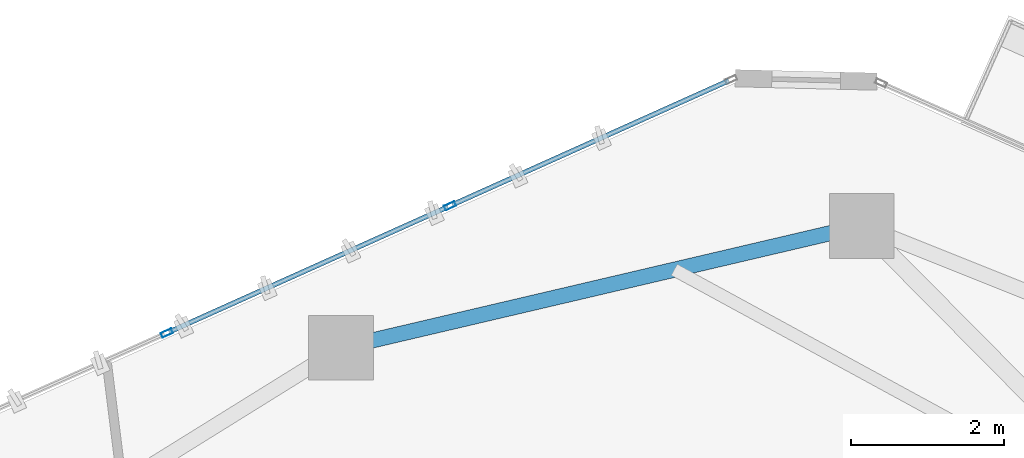
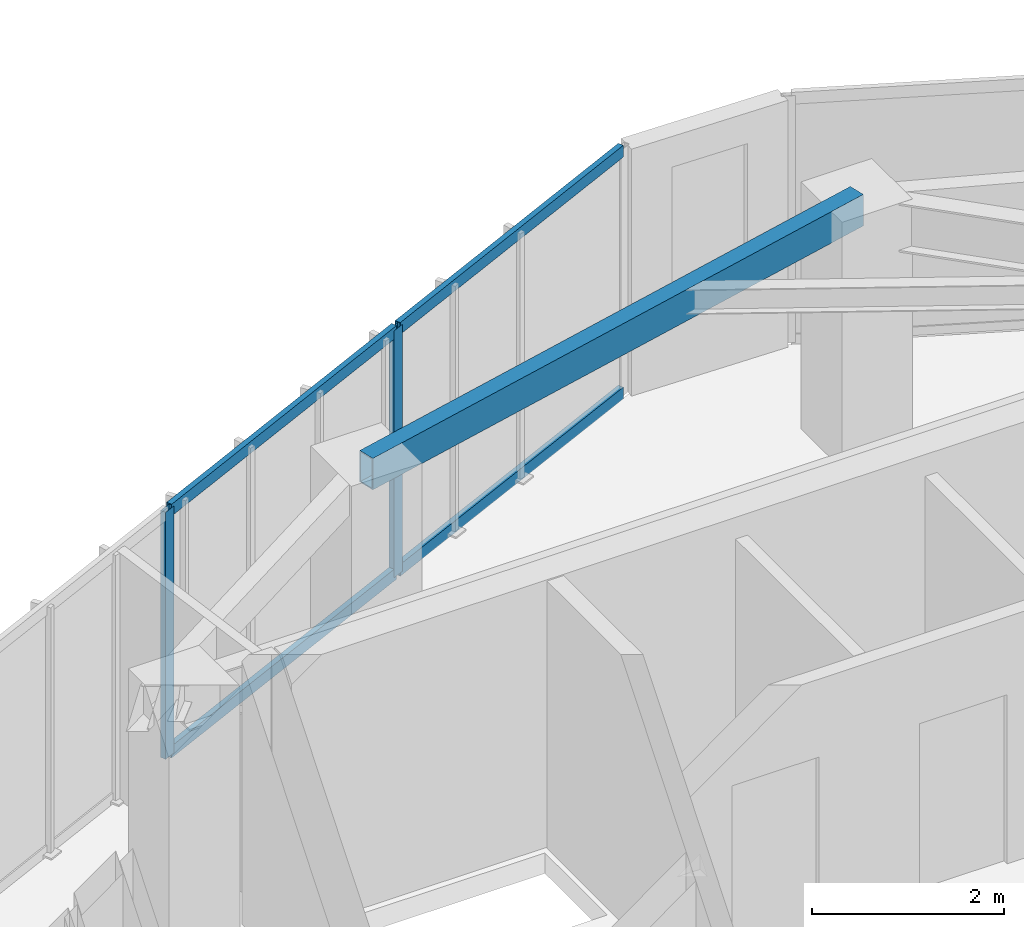
# One storey, part 10 of 21: 6 members, 1 beam, 1 element without a shape of its own.
"""IFC4 building model written with IfcOpenShell, lengths in metres."""

from ifc_helpers import new_model, si_unit, direction, frame, origin, origin_2d, place, context, subcontext, project, spatial, hollow_rectangle, extrude, source, transform, mapped, material, layer, layer_set, material_profile, profile_set, type_object, type_shapes, element, aggregate, save


model = new_model("IFC4")

# Units and contexts
model_context = context("Model", 3, precision=1e-05, world=origin(), true_north=direction((0.0, 1.0)))
body_context = subcontext(model_context, "Body", "Model", "MODEL_VIEW")
ifc_project = project(units=[si_unit("LENGTHUNIT", "METRE"), si_unit("AREAUNIT", "SQUARE_METRE"), si_unit("VOLUMEUNIT", "CUBIC_METRE"), si_unit("PLANEANGLEUNIT", "RADIAN"), si_unit("MASSUNIT", "GRAM", prefix="KILO")], contexts=[model_context])

# Site, building, storey
site_placement = place(None, origin())
site = spatial("IfcSite", under=ifc_project, at=site_placement, CompositionType="ELEMENT")
building_placement = place(site_placement, origin())
building = spatial("IfcBuilding", under=site, at=building_placement, Name="Talar Marvaseh", CompositionType="ELEMENT")
storey_placement = place(building_placement, frame((0.0, 0.0, 271.39990234375)))
storey = spatial("IfcBuildingStorey", under=building, at=storey_placement, Name="L72", CompositionType="ELEMENT", Elevation=271.39990234375)

# Beam
ifc_material_1 = material(Name="Steel S355", Category="steel")
ifc_material_profile_1 = material_profile(ifc_material_1, hollow_rectangle(XDim=0.199951171875, YDim=0.39990234375, WallThickness=0.013916015625, at=origin_2d()), Name="RHS400x200x14")
ifc_profile_set_1 = profile_set([ifc_material_profile_1], Name="Steel S355")
beam_type = type_object("IfcBeamType", Name="Zone 3 Perimeter Spandrel Beam RHS400x200x14", PredefinedType="SPANDREL", material=ifc_profile_set_1)
beam_placement = place(storey_placement, frame((22.364990234375, 39.4541015625, 2.940185546875), z_axis=(0.973655602276, 0.228023613157, 0.0), x_axis=(-0.228023613157, 0.973655602276, 0.0)))
element("IfcBeam", 1, at=beam_placement, inside=storey, type_object=beam_type, Name="L72 Zone 3 Perimeter Spandrel Beam RHS400x200x14", PredefinedType="SPANDREL", context=body_context, shape_type="SweptSolid", body=[
    extrude(hollow_rectangle(XDim=0.199951171875, YDim=0.39990234375, WallThickness=0.013916015625, at=origin_2d()), origin(), (0.0, 0.0, 1.0), 7.007568359375),
])

# Curtain wall, members
ifc_material_2 = material(Name="Architectural Aluminium", Category="aluminium")
ifc_layer = layer(ifc_material_2, 0.179931640625)
ifc_layer_set = layer_set([ifc_layer], Name="Architectural Aluminium")
curtain_wall_type = type_object("IfcCurtainWallType", Name="Unitised High-Wind Sky Curtain Wall Z4", PredefinedType="NOTDEFINED", material=ifc_layer_set)
curtain_wall_placement = place(storey_placement, origin())
curtain_wall = element("IfcCurtainWall", 2, at=curtain_wall_placement, inside=storey, type_object=curtain_wall_type, Name="L72 Unitised High-Wind Sky Curtain Wall Z4", PredefinedType="NOTDEFINED")
ifc_material_profile_2 = material_profile(ifc_material_2, hollow_rectangle(XDim=0.06494140625, YDim=0.14990234375, WallThickness=0.00390625, at=origin_2d()), Name="RHS150x65x4")
ifc_profile_set_2 = profile_set([ifc_material_profile_2], Name="Architectural Aluminium")
member_type_1 = type_object("IfcMemberType", Name="Unitised Curtain Wall Slim Transom RHS150x65x4", PredefinedType="USERDEFINED", material=ifc_profile_set_2)
shared_shape_1 = source(origin(), body_context, "Body", "SweptSolid", [
    extrude(hollow_rectangle(XDim=0.06494140625, YDim=0.14990234375, WallThickness=0.00390625, at=origin_2d()), origin(), (0.0, 0.0, 1.0), 3.97119140625),
])
member_1_placement = place(storey_placement, frame((23.82470703125, 41.3271484375, 0.03271484375), z_axis=(0.91225593784, 0.409620682919, 0.0), x_axis=(-0.409620682919, 0.91225593784, 0.0)))
member_1 = element("IfcMember", 3, at=member_1_placement, type_object=member_type_1, Name="CW-Z4 transom 3.1", ObjectType="TRANSOM", PredefinedType="USERDEFINED", context=body_context, shape_type="MappedRepresentation", body=[
    mapped(shared_shape_1, transform((0.0, 0.0, 0.0), x_axis=(1.0, 0.0, 0.0), y_axis=(0.0, 1.0, 0.0), z_axis=(0.0, 0.0, 1.0), scale=1.0)),
])
member_2_placement = place(storey_placement, frame((23.82470703125, 41.3271484375, 3.107666015625), z_axis=(0.91225593784, 0.409620682919, 0.0), x_axis=(-0.409620682919, 0.91225593784, 0.0)))
member_2 = element("IfcMember", 4, at=member_2_placement, type_object=member_type_1, Name="CW-Z4 transom 3.2", ObjectType="TRANSOM", PredefinedType="USERDEFINED", context=body_context, shape_type="MappedRepresentation", body=[
    mapped(shared_shape_1, transform((0.0, 0.0, 0.0), x_axis=(1.0, 0.0, 0.0), y_axis=(0.0, 1.0, 0.0), z_axis=(0.0, 0.0, 1.0), scale=1.0)),
])
shared_shape_2 = source(origin(), body_context, "Body", "SweptSolid", [
    extrude(hollow_rectangle(XDim=0.06494140625, YDim=0.14990234375, WallThickness=0.00390625, at=origin_2d()), origin(), (0.0, 0.0, 1.0), 4.003662109375),
])
type_shapes(member_type_1, [shared_shape_1, shared_shape_2])
member_3_placement = place(storey_placement, frame((20.11328125, 39.660400390625, 0.03271484375), z_axis=(0.912240701208, 0.409654614352, 0.0), x_axis=(-0.409654614352, 0.912240701208, 0.0)))
member_3 = element("IfcMember", 5, at=member_3_placement, type_object=member_type_1, Name="CW-Z4 transom 2.1", ObjectType="TRANSOM", PredefinedType="USERDEFINED", context=body_context, shape_type="MappedRepresentation", body=[
    mapped(shared_shape_2, transform((0.0, 0.0, 0.0), x_axis=(1.0, 0.0, 0.0), y_axis=(0.0, 1.0, 0.0), z_axis=(0.0, 0.0, 1.0), scale=1.0)),
])
member_4_placement = place(storey_placement, frame((20.11328125, 39.660400390625, 3.107666015625), z_axis=(0.912240701208, 0.409654614352, 0.0), x_axis=(-0.409654614352, 0.912240701208, 0.0)))
member_4 = element("IfcMember", 6, at=member_4_placement, type_object=member_type_1, Name="CW-Z4 transom 2.2", ObjectType="TRANSOM", PredefinedType="USERDEFINED", context=body_context, shape_type="MappedRepresentation", body=[
    mapped(shared_shape_2, transform((0.0, 0.0, 0.0), x_axis=(1.0, 0.0, 0.0), y_axis=(0.0, 1.0, 0.0), z_axis=(0.0, 0.0, 1.0), scale=1.0)),
])
ifc_material_profile_3 = material_profile(ifc_material_2, hollow_rectangle(XDim=0.06494140625, YDim=0.14990234375, WallThickness=0.00390625, at=origin_2d()), Name="RHS150x65x4")
ifc_profile_set_3 = profile_set([ifc_material_profile_3], Name="Architectural Aluminium")
member_type_2 = type_object("IfcMemberType", Name="Unitised Curtain Wall Slim Mullion RHS150x65x4", PredefinedType="MULLION", material=ifc_profile_set_3)
shared_shape_3 = source(origin(), body_context, "Body", "SweptSolid", [
    extrude(hollow_rectangle(XDim=0.06494140625, YDim=0.14990234375, WallThickness=0.00390625, at=origin_2d()), origin(), (0.0, 0.0, 1.0), 3.14013671875),
])
type_shapes(member_type_2, [shared_shape_3])
member_5_placement = place(storey_placement, frame((20.08349609375, 39.647216796875, 0.0), z_axis=(0.0, 0.0, 1.0), x_axis=(-0.409635208061, 0.91224941563, 0.0)))
member_5 = element("IfcMember", 7, at=member_5_placement, type_object=member_type_2, Name="CW-Z4 mullion 2", PredefinedType="MULLION", context=body_context, shape_type="MappedRepresentation", body=[
    mapped(shared_shape_3, transform((0.0, 0.0, 0.0), x_axis=(1.0, 0.0, 0.0), y_axis=(0.0, 1.0, 0.0), z_axis=(0.0, 0.0, 1.0), scale=1.0)),
])
member_6_placement = place(storey_placement, frame((23.795166015625, 41.313720703125, 0.0), z_axis=(0.0, 0.0, 1.0), x_axis=(-0.409635208061, 0.91224941563, 0.0)))
member_6 = element("IfcMember", 8, at=member_6_placement, type_object=member_type_2, Name="CW-Z4 mullion 3", PredefinedType="MULLION", context=body_context, shape_type="MappedRepresentation", body=[
    mapped(shared_shape_3, transform((0.0, 0.0, 0.0), x_axis=(1.0, 0.0, 0.0), y_axis=(0.0, 1.0, 0.0), z_axis=(0.0, 0.0, 1.0), scale=1.0)),
])
aggregate(curtain_wall, [member_5, member_6, member_3, member_4, member_1, member_2])

save(model, "model.ifc")
